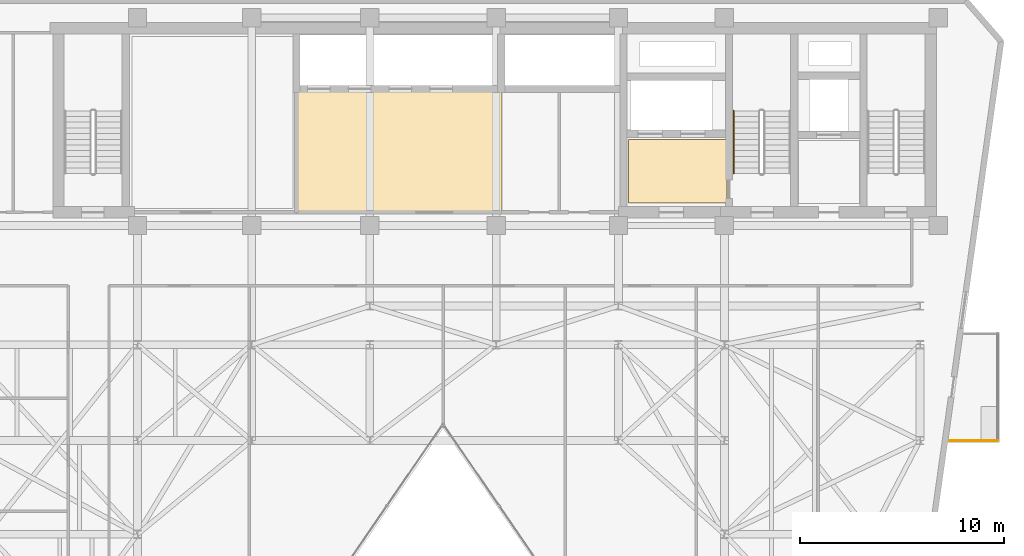
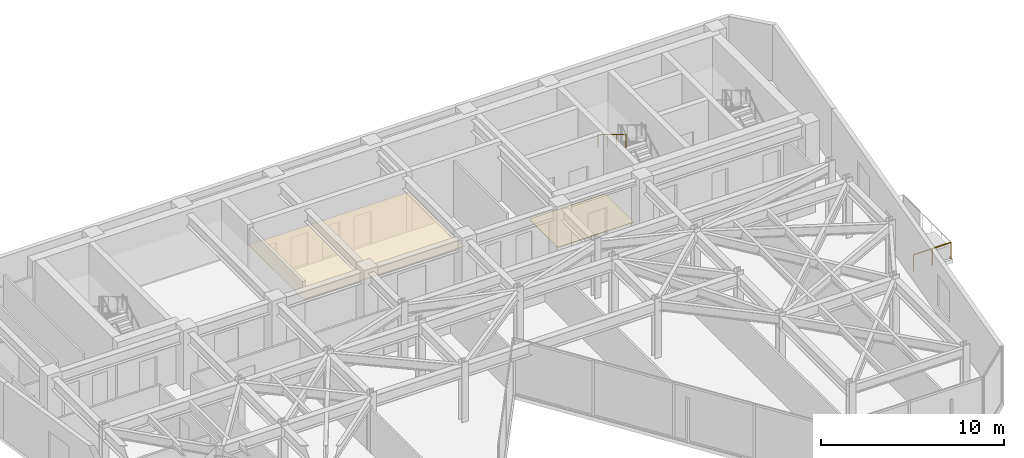
# One storey, part 20 of 21: 2 coverings, 2 railings.
"""IFC4 building model written with IfcOpenShell, lengths in metres."""

from ifc_helpers import new_model, si_unit, direction, frame, origin, origin_2d, place, context, subcontext, project, spatial, polyline, circle, outline, extrude, material, layer, layer_set, type_object, element, save


model = new_model("IFC4")

# Units and contexts
model_context = context("Model", 3, precision=1e-05, world=origin(), true_north=direction((0.0, 1.0)))
body_context = subcontext(model_context, "Body", "Model", "MODEL_VIEW")
ifc_project = project(units=[si_unit("LENGTHUNIT", "METRE"), si_unit("AREAUNIT", "SQUARE_METRE"), si_unit("VOLUMEUNIT", "CUBIC_METRE"), si_unit("PLANEANGLEUNIT", "RADIAN"), si_unit("MASSUNIT", "GRAM", prefix="KILO")], contexts=[model_context])

# Site, building, storey
site_placement = place(None, origin())
site = spatial("IfcSite", under=ifc_project, at=site_placement, CompositionType="ELEMENT")
building_placement = place(site_placement, origin())
building = spatial("IfcBuilding", under=site, at=building_placement, Name="Kravanh Interchange Tower", CompositionType="ELEMENT")
storey_placement = place(building_placement, frame((0.0, 0.0, 216.5)))
storey = spatial("IfcBuildingStorey", under=building, at=storey_placement, Name="L52", CompositionType="ELEMENT", Elevation=216.5)

# Coverings
ifc_material_1 = material(Name="Cementitious Terrazzo Tile")
ifc_layer_1 = layer(ifc_material_1, 0.030029296875)
ifc_layer_set_1 = layer_set([ifc_layer_1], Name="Honed Terrazzo Lobby Flooring 30mm")
covering_type_1 = type_object("IfcCoveringType", Name="Honed Terrazzo Lobby Flooring 30mm", PredefinedType="FLOORING", material=ifc_layer_set_1)
covering_1_placement = place(storey_placement, origin())
element("IfcCovering", 1, at=covering_1_placement, inside=storey, type_object=covering_type_1, Name="L52 Firefighting Lobby Floor Finish", PredefinedType="FLOORING", context=body_context, shape_type="SweptSolid", body=[
    extrude(outline(polyline([(56.1201171875, 38.4599609375), (51.300048828125, 38.4599609375), (51.300048828125, 41.580078125), (56.1201171875, 41.580078125), (56.1201171875, 38.4599609375)])), origin(), (0.0, 0.0, 1.0), 0.030029296875),
])
ifc_material_2 = material(Name="Acoustic Mineral Fibre Tile on Aluminium Grid", Category="aluminium")
ifc_layer_2 = layer(ifc_material_2, 0.02490234375)
ifc_layer_set_2 = layer_set([ifc_layer_2], Name="Perforated Acoustic Mineral Ceiling 25mm")
covering_type_2 = type_object("IfcCoveringType", Name="Perforated Acoustic Mineral Ceiling 25mm", PredefinedType="CEILING", material=ifc_layer_set_2)
covering_2_placement = place(storey_placement, frame((0.0, 0.0, 2.550048828125)))
element("IfcCovering", 2, at=covering_2_placement, inside=storey, type_object=covering_type_2, Name="L52 Mid-Rise Lift Lobby Suspended Ceiling", PredefinedType="CEILING", context=body_context, shape_type="SweptSolid", body=[
    extrude(outline(polyline([(45.090087890625, 37.9599609375), (34.93994140625, 37.9599609375), (34.93994140625, 43.989990234375), (45.090087890625, 43.989990234375), (45.090087890625, 37.9599609375)])), origin(), (0.0, 0.0, 1.0), 0.02490234375),
])

# Railings
ifc_material_3 = material(Name="Stainless Steel 316", Category="steel")
ifc_layer_3 = layer(ifc_material_3, 0.06005859375)
ifc_layer_set_3 = layer_set([ifc_layer_3], Name="Perimeter Balcony and Terrace Guardrail Stainless 316 1120mm")
railing_type_1 = type_object("IfcRailingType", Name="Perimeter Balcony and Terrace Guardrail Stainless 316 1120mm", PredefinedType="GUARDRAIL", material=ifc_layer_set_3)
railing_1_placement = place(storey_placement, frame((69.409912109375, 26.7900390625, 0.0)))
element("IfcRailing", 3, at=railing_1_placement, inside=storey, type_object=railing_type_1, Name="L52 E Balcony Guardrail 2", PredefinedType="GUARDRAIL", context=body_context, shape_type="SweptSolid", body=[
    extrude(circle(Radius=0.02392578125, at=origin_2d()), frame((0.0, 0.0, 1.09619140625), z_axis=(-1.0, 0.0, 0.0), x_axis=(0.0, -1.0, 0.0)), (0.0, 0.0, 1.0), 2.365234375),
    extrude(circle(Radius=0.02099609375, at=origin_2d()), origin(), (0.0, 0.0, 1.0), 1.072021484375),
    extrude(circle(Radius=0.02099609375, at=origin_2d()), frame((-1.1826171875, 0.0, 0.0)), (0.0, 0.0, 1.0), 1.072021484375),
    extrude(circle(Radius=0.02099609375, at=origin_2d()), frame((-2.365234375, 0.0, 0.0)), (0.0, 0.0, 1.0), 1.072021484375),
])
ifc_material_4 = material(Name="Stainless Steel 304", Category="steel")
ifc_layer_4 = layer(ifc_material_4, 0.044921875)
ifc_layer_set_4 = layer_set([ifc_layer_4], Name="Tubular Stair Handrail Stainless 304 900mm")
railing_type_2 = type_object("IfcRailingType", Name="Tubular Stair Handrail Stainless 304 900mm", PredefinedType="HANDRAIL", material=ifc_layer_set_4)
railing_2_placement = place(storey_placement, frame((56.449951171875, 42.97998046875, 2.166748046875)))
element("IfcRailing", 4, at=railing_2_placement, inside=storey, type_object=railing_type_2, Name="L52 ST2 stair handrail 2", PredefinedType="HANDRAIL", context=body_context, shape_type="SweptSolid", body=[
    extrude(circle(Radius=0.02392578125, at=origin_2d()), frame((0.0, 0.0, 0.8759765625), z_axis=(0.0, -0.859308565015, 0.511457515432), x_axis=(1.0, 0.0, 0.0)), (0.0, 0.0, 1.0), 3.58447265625),
    extrude(circle(Radius=0.02099609375, at=origin_2d()), origin(), (0.0, 0.0, 1.0), 0.851806640625),
    extrude(circle(Radius=0.02099609375, at=origin_2d()), frame((0.0, -1.026611328125, 0.611083984375)), (0.0, 0.0, 1.0), 0.851806640625),
    extrude(circle(Radius=0.02099609375, at=origin_2d()), frame((0.0, -2.053466796875, 1.22216796875)), (0.0, 0.0, 1.0), 0.851806640625),
    extrude(circle(Radius=0.02099609375, at=origin_2d()), frame((0.0, -3.080078125, 1.833251953125)), (0.0, 0.0, 1.0), 0.851806640625),
])

save(model, "model.ifc")
